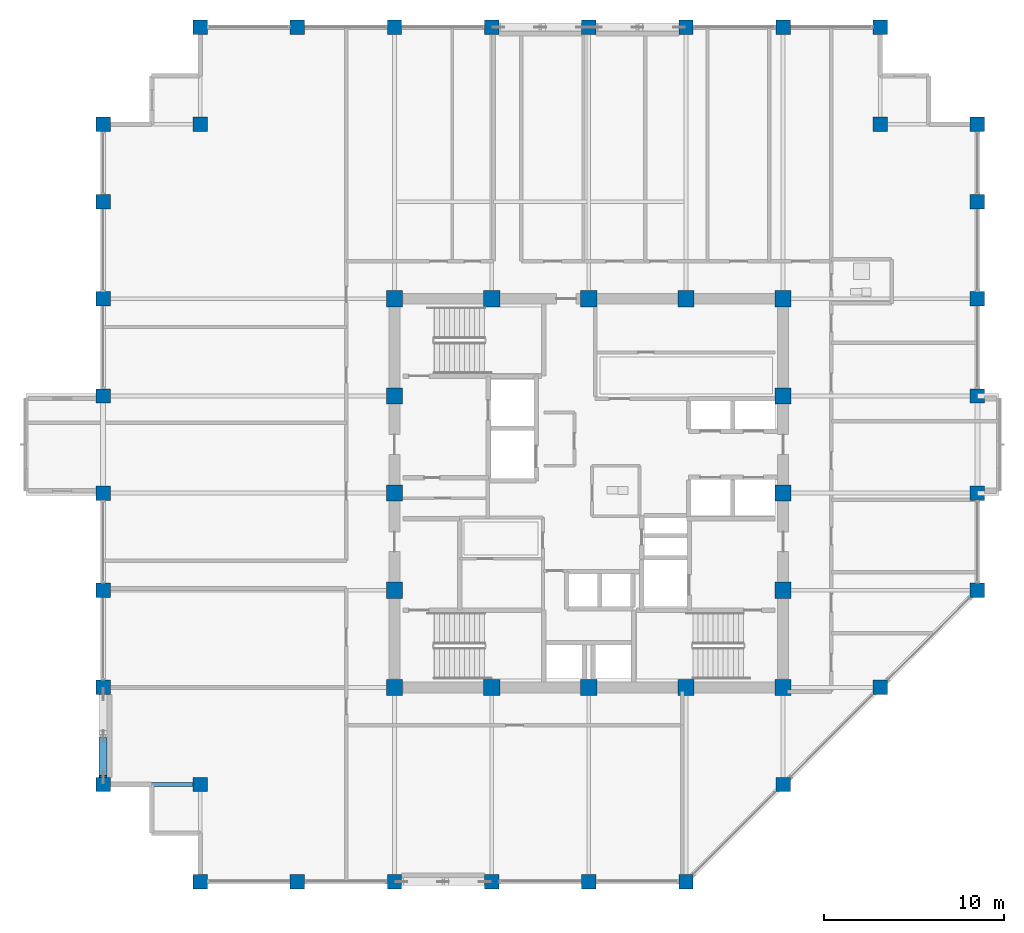
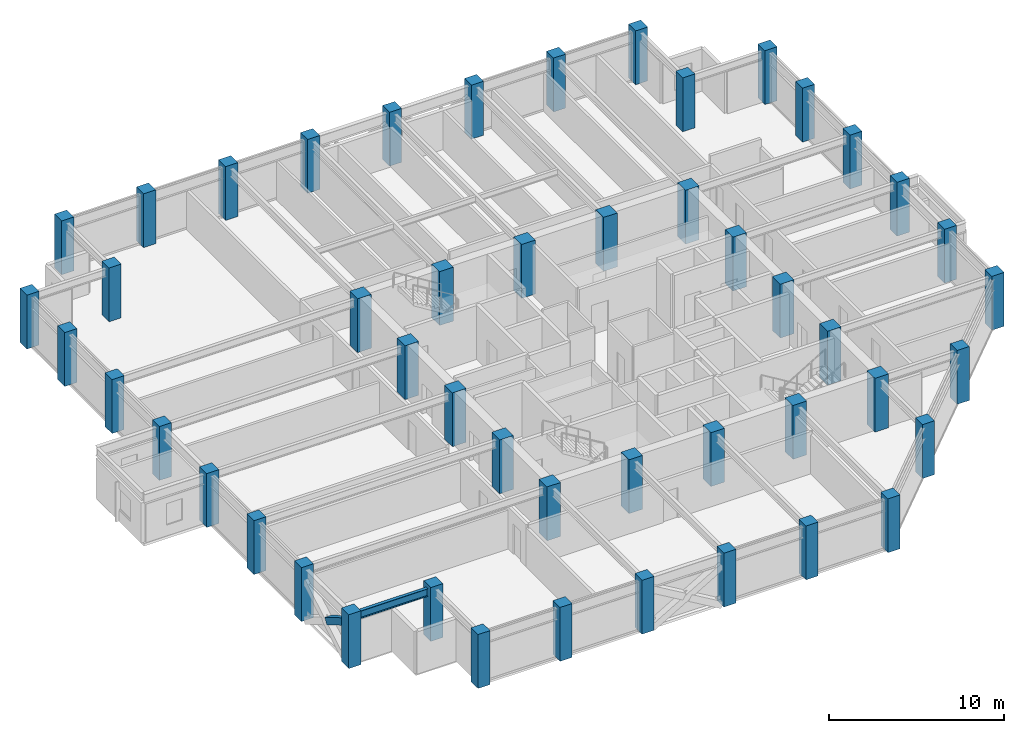
# One storey, part 1 of 28: 49 columns, 1 beam, 1 member.
"""IFC4 building model written with IfcOpenShell, lengths in metres."""

from ifc_helpers import new_model, si_unit, direction, frame, origin, origin_2d, place, context, subcontext, project, spatial, rectangle, hollow_rectangle, i_section, extrude, material, material_profile, profile_set, type_object, element, save


model = new_model("IFC4")

# Units and contexts
model_context = context("Model", 3, precision=1e-05, world=origin(), true_north=direction((0.0, 1.0)))
body_context = subcontext(model_context, "Body", "Model", "MODEL_VIEW")
ifc_project = project(units=[si_unit("LENGTHUNIT", "METRE"), si_unit("AREAUNIT", "SQUARE_METRE"), si_unit("VOLUMEUNIT", "CUBIC_METRE"), si_unit("PLANEANGLEUNIT", "RADIAN"), si_unit("MASSUNIT", "GRAM", prefix="KILO")], contexts=[model_context])

# Site, building, storey
site_placement = place(None, origin())
site = spatial("IfcSite", under=ifc_project, at=site_placement, CompositionType="ELEMENT")
building_placement = place(site_placement, origin())
building = spatial("IfcBuilding", under=site, at=building_placement, Name="Surkhivell Harbour Commons", CompositionType="ELEMENT")
storey_placement = place(building_placement, frame((0.0, 0.0, 246.0)))
storey = spatial("IfcBuildingStorey", under=building, at=storey_placement, Name="L64", CompositionType="ELEMENT", Elevation=246.0)

# Columns
ifc_material_1 = material(Name="Concrete C60/75", Category="concrete")
ifc_material_profile_1 = material_profile(ifc_material_1, rectangle(XDim=0.89990234375, YDim=0.89990234375, at=origin_2d()), Name="RC-COL-900x900")
ifc_profile_set_1 = profile_set([ifc_material_profile_1], Name="Concrete C60/75")
column_type_1 = type_object("IfcColumnType", Name="COL-TUBE-Z3A", PredefinedType="COLUMN", material=ifc_profile_set_1)
for number, where, z_axis, x_axis, name in (
    (1, (-10.800048828125, -10.800048828125, 0.0), (0.0, 0.0, 1.0), (1.0, 0.0, 0.0), "L64 Column CT-3A (-10.8,-10.8)"),
    (2, (-10.800048828125, -5.39990234375, 0.0), (0.0, 0.0, 1.0), (1.0, 0.0, 0.0), "L64 Column CT-3A (-10.8,-5.4)"),
    (3, (-10.800048828125, 0.0, 0.0), (0.0, 0.0, 1.0), (1.0, 0.0, 0.0), "L64 Column CT-3A (-10.8,0.0)"),
    (4, (-10.800048828125, 5.39990234375, 0.0), (0.0, 0.0, 1.0), (1.0, 0.0, 0.0), "L64 Column CT-3A (-10.8,5.4)"),
    (5, (-10.800048828125, 10.800048828125, 0.0), (0.0, 0.0, 1.0), (1.0, 0.0, 0.0), "L64 Column CT-3A (-10.8,10.8)"),
    (6, (-5.39990234375, -10.800048828125, 0.0), (0.0, 0.0, 1.0), (1.0, 0.0, 0.0), "L64 Column CT-3A (-5.4,-10.8)"),
    (7, (-5.39990234375, 10.800048828125, 0.0), (0.0, 0.0, 1.0), (1.0, 0.0, 0.0), "L64 Column CT-3A (-5.4,10.8)"),
    (8, (0.0, -10.800048828125, 0.0), (0.0, 0.0, 1.0), (1.0, 0.0, 0.0), "L64 Column CT-3A (0.0,-10.8)"),
    (9, (0.0, 10.800048828125, 0.0), (0.0, 0.0, 1.0), (1.0, 0.0, 0.0), "L64 Column CT-3A (0.0,10.8)"),
    (10, (5.39990234375, -10.800048828125, 0.0), (0.0, 0.0, 1.0), (1.0, 0.0, 0.0), "L64 Column CT-3A (5.4,-10.8)"),
    (11, (5.39990234375, 10.800048828125, 0.0), (0.0, 0.0, 1.0), (1.0, 0.0, 0.0), "L64 Column CT-3A (5.4,10.8)"),
    (12, (10.800048828125, -10.800048828125, 0.0), (0.0, 0.0, 1.0), (1.0, 0.0, 0.0), "L64 Column CT-3A (10.8,-10.8)"),
    (13, (10.800048828125, -5.39990234375, 0.0), (0.0, 0.0, 1.0), (1.0, 0.0, 0.0), "L64 Column CT-3A (10.8,-5.4)"),
    (14, (10.800048828125, 0.0, 0.0), (0.0, 0.0, 1.0), (1.0, 0.0, 0.0), "L64 Column CT-3A (10.8,0.0)"),
    (15, (10.800048828125, 5.39990234375, 0.0), (0.0, 0.0, 1.0), (1.0, 0.0, 0.0), "L64 Column CT-3A (10.8,5.4)"),
    (16, (10.800048828125, 10.800048828125, 0.0), (0.0, 0.0, 1.0), (1.0, 0.0, 0.0), "L64 Column CT-3A (10.8,10.8)"),
):
    element("IfcColumn", number, at=place(storey_placement, frame(where, z_axis=z_axis, x_axis=x_axis)), inside=storey, type_object=column_type_1, Name=name, PredefinedType="COLUMN", context=body_context, shape_type="SweptSolid", body=[
        extrude(rectangle(XDim=0.89990234375, YDim=0.89990234375, at=origin_2d()), origin(), (0.0, 0.0, 1.0), 3.75),
    ])
ifc_material_2 = material(Name="Concrete C50/60", Category="concrete")
ifc_material_profile_2 = material_profile(ifc_material_2, rectangle(XDim=0.800048828125, YDim=0.800048828125, at=origin_2d()), Name="RC-COL-800x800")
ifc_profile_set_2 = profile_set([ifc_material_profile_2], Name="Concrete C50/60")
column_type_2 = type_object("IfcColumnType", Name="COL-TUBE-Z3B", PredefinedType="COLUMN", material=ifc_profile_set_2)
for number, where, z_axis, x_axis, name in (
    (17, (-27.0, -16.199951171875, 0.0), (0.0, 0.0, 1.0), (1.0, 0.0, 0.0), "L64 Column CT-3B (-27.0,-16.2)"),
    (18, (-27.0, -10.800048828125, 0.0), (0.0, 0.0, 1.0), (1.0, 0.0, 0.0), "L64 Column CT-3B (-27.0,-10.8)"),
    (19, (-27.0, -5.39990234375, 0.0), (0.0, 0.0, 1.0), (1.0, 0.0, 0.0), "L64 Column CT-3B (-27.0,-5.4)"),
    (20, (-27.0, 0.0, 0.0), (0.0, 0.0, 1.0), (1.0, 0.0, 0.0), "L64 Column CT-3B (-27.0,0.0)"),
    (21, (-27.0, 5.39990234375, 0.0), (0.0, 0.0, 1.0), (1.0, 0.0, 0.0), "L64 Column CT-3B (-27.0,5.4)"),
    (22, (-27.0, 10.800048828125, 0.0), (0.0, 0.0, 1.0), (1.0, 0.0, 0.0), "L64 Column CT-3B (-27.0,10.8)"),
    (23, (-27.0, 16.199951171875, 0.0), (0.0, 0.0, 1.0), (1.0, 0.0, 0.0), "L64 Column CT-3B (-27.0,16.2)"),
    (24, (-27.0, 20.5, 0.0), (0.0, 0.0, 1.0), (1.0, 0.0, 0.0), "L64 Column CT-3B (-27.0,20.5)"),
    (25, (-21.60009765625, -21.60009765625, 0.0), (0.0, 0.0, 1.0), (1.0, 0.0, 0.0), "L64 Column CT-3B (-21.6,-21.6)"),
    (26, (-21.60009765625, -16.199951171875, 0.0), (0.0, 0.0, 1.0), (1.0, 0.0, 0.0), "L64 Column CT-3B (-21.6,-16.2)"),
    (27, (-21.60009765625, 20.5, 0.0), (0.0, 0.0, 1.0), (1.0, 0.0, 0.0), "L64 Column CT-3B (-21.6,20.5)"),
    (28, (-21.60009765625, 25.89990234375, 0.0), (0.0, 0.0, 1.0), (1.0, 0.0, 0.0), "L64 Column CT-3B (-21.6,25.9)"),
    (29, (-16.199951171875, -21.60009765625, 0.0), (0.0, 0.0, 1.0), (1.0, 0.0, 0.0), "L64 Column CT-3B (-16.2,-21.6)"),
    (30, (-16.199951171875, 25.89990234375, 0.0), (0.0, 0.0, 1.0), (1.0, 0.0, 0.0), "L64 Column CT-3B (-16.2,25.9)"),
    (31, (-10.800048828125, -21.60009765625, 0.0), (0.0, 0.0, 1.0), (1.0, 0.0, 0.0), "L64 Column CT-3B (-10.8,-21.6)"),
    (32, (-10.800048828125, 25.89990234375, 0.0), (0.0, 0.0, 1.0), (1.0, 0.0, 0.0), "L64 Column CT-3B (-10.8,25.9)"),
    (33, (-5.39990234375, -21.60009765625, 0.0), (0.0, 0.0, 1.0), (1.0, 0.0, 0.0), "L64 Column CT-3B (-5.4,-21.6)"),
    (34, (-5.39990234375, 25.89990234375, 0.0), (0.0, 0.0, 1.0), (1.0, 0.0, 0.0), "L64 Column CT-3B (-5.4,25.9)"),
    (35, (0.0, -21.60009765625, 0.0), (0.0, 0.0, 1.0), (1.0, 0.0, 0.0), "L64 Column CT-3B (-0.0,-21.6)"),
    (36, (0.0, 25.89990234375, 0.0), (0.0, 0.0, 1.0), (1.0, 0.0, 0.0), "L64 Column CT-3B (-0.0,25.9)"),
    (37, (5.39990234375, -21.60009765625, 0.0), (0.0, 0.0, 1.0), (1.0, 0.0, 0.0), "L64 Column CT-3B (5.4,-21.6)"),
    (38, (5.39990234375, 25.89990234375, 0.0), (0.0, 0.0, 1.0), (1.0, 0.0, 0.0), "L64 Column CT-3B (5.4,25.9)"),
    (39, (10.800048828125, -16.199951171875, 0.0), (0.0, 0.0, 1.0), (1.0, 0.0, 0.0), "L64 Column CT-3B (10.8,-16.2)"),
    (40, (10.800048828125, 25.89990234375, 0.0), (0.0, 0.0, 1.0), (1.0, 0.0, 0.0), "L64 Column CT-3B (10.8,25.9)"),
    (41, (16.199951171875, -10.800048828125, 0.0), (0.0, 0.0, 1.0), (1.0, 0.0, 0.0), "L64 Column CT-3B (16.2,-10.8)"),
    (42, (16.199951171875, 20.5, 0.0), (0.0, 0.0, 1.0), (1.0, 0.0, 0.0), "L64 Column CT-3B (16.2,20.5)"),
    (43, (16.199951171875, 25.89990234375, 0.0), (0.0, 0.0, 1.0), (1.0, 0.0, 0.0), "L64 Column CT-3B (16.2,25.9)"),
    (44, (21.60009765625, -5.39990234375, 0.0), (0.0, 0.0, 1.0), (1.0, 0.0, 0.0), "L64 Column CT-3B (21.6,-5.4)"),
    (45, (21.60009765625, 0.0, 0.0), (0.0, 0.0, 1.0), (1.0, 0.0, 0.0), "L64 Column CT-3B (21.6,0.0)"),
    (46, (21.60009765625, 5.39990234375, 0.0), (0.0, 0.0, 1.0), (1.0, 0.0, 0.0), "L64 Column CT-3B (21.6,5.4)"),
    (47, (21.60009765625, 10.800048828125, 0.0), (0.0, 0.0, 1.0), (1.0, 0.0, 0.0), "L64 Column CT-3B (21.6,10.8)"),
    (48, (21.60009765625, 16.199951171875, 0.0), (0.0, 0.0, 1.0), (1.0, 0.0, 0.0), "L64 Column CT-3B (21.6,16.2)"),
    (49, (21.60009765625, 20.5, 0.0), (0.0, 0.0, 1.0), (1.0, 0.0, 0.0), "L64 Column CT-3B (21.6,20.5)"),
):
    element("IfcColumn", number, at=place(storey_placement, frame(where, z_axis=z_axis, x_axis=x_axis)), inside=storey, type_object=column_type_2, Name=name, PredefinedType="COLUMN", context=body_context, shape_type="SweptSolid", body=[
        extrude(rectangle(XDim=0.800048828125, YDim=0.800048828125, at=origin_2d()), origin(), (0.0, 0.0, 1.0), 3.75),
    ])

# Beam
ifc_material_3 = material(Name="Steel S355", Category="steel")
ifc_material_profile_3 = material_profile(ifc_material_3, i_section(OverallWidth=0.2119140625, OverallDepth=0.5439453125, WebThickness=0.0126953125, FlangeThickness=0.021240234375, at=origin_2d()), Name="UB533x210x122")
ifc_profile_set_3 = profile_set([ifc_material_profile_3], Name="Steel S355")
beam_type = type_object("IfcBeamType", Name="BM-GRD-533A", PredefinedType="BEAM", material=ifc_profile_set_3)
beam_placement = place(storey_placement, frame((-27.0, -16.199951171875, 3.22802734375), z_axis=(1.0, 0.0, 0.0), x_axis=(0.0, 1.0, 0.0)))
element("IfcBeam", 50, at=beam_placement, inside=storey, type_object=beam_type, Name="L64 Floor Girder (-27.0,-16.2)", PredefinedType="BEAM", context=body_context, shape_type="SweptSolid", body=[
    extrude(i_section(OverallWidth=0.2119140625, OverallDepth=0.5439453125, WebThickness=0.0126953125, FlangeThickness=0.021240234375, at=origin_2d()), origin(), (0.0, 0.0, 1.0), 5.39990234375),
])

# Member
ifc_material_4 = material(Name="Steel S460", Category="steel")
ifc_material_profile_4 = material_profile(ifc_material_4, hollow_rectangle(XDim=0.449951171875, YDim=0.449951171875, WallThickness=0.02197265625, at=origin_2d()), Name="SHS450x450x22")
ifc_profile_set_4 = profile_set([ifc_material_profile_4], Name="Steel S460")
member_type = type_object("IfcMemberType", Name="MEM-BRC-SHS450", PredefinedType="BRACE", material=ifc_profile_set_4)
member_placement = place(storey_placement, frame((-27.0, -13.68603515625, 1.480712890625), z_axis=(0.0, -0.861779200568, 0.507283559233), x_axis=(1.0, 0.0, 0.0)))
element("IfcMember", 51, at=member_placement, inside=storey, type_object=member_type, Name="L64 Perimeter Mega-Brace MB- 12", PredefinedType="BRACE", context=body_context, shape_type="SweptSolid", body=[
    extrude(hollow_rectangle(XDim=0.449951171875, YDim=0.449951171875, WallThickness=0.02197265625, at=origin_2d()), origin(), (0.0, 0.0, 1.0), 2.470458984375),
])

save(model, "model.ifc")
